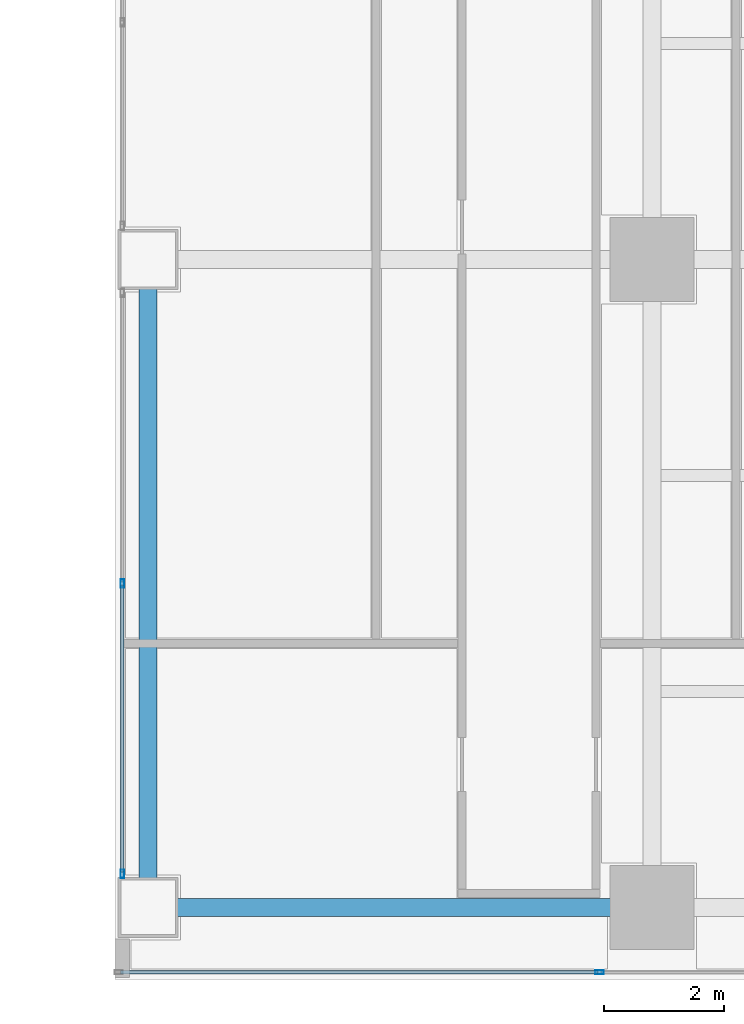
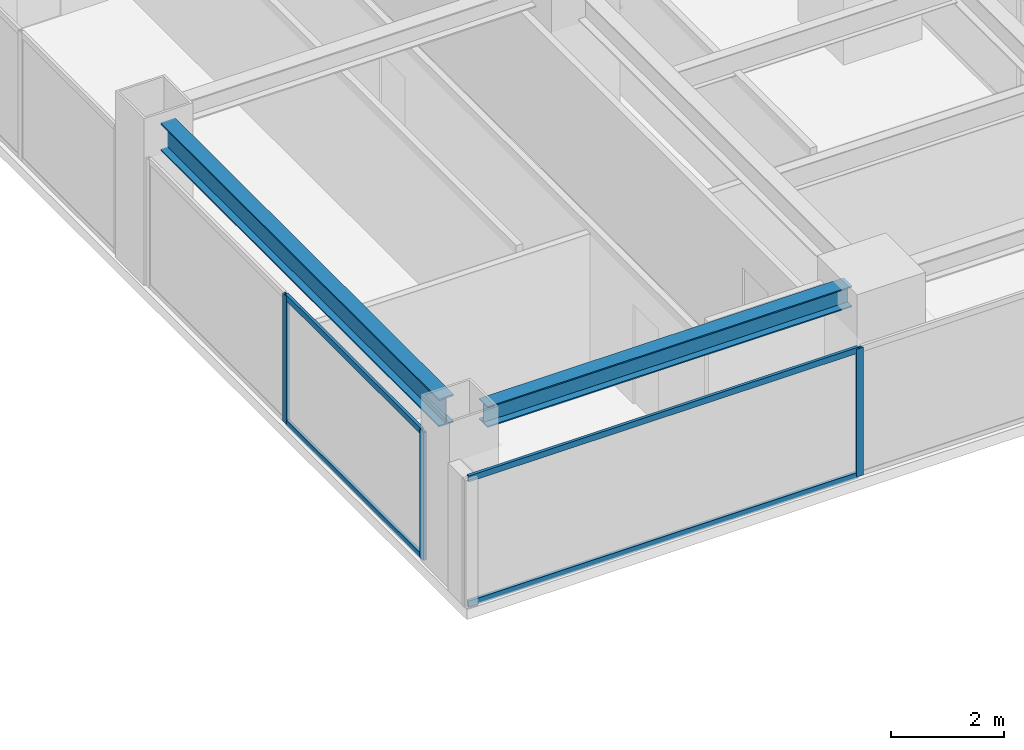
# One storey, part 12 of 29: 7 members, 2 beams, 2 elements without a shape of their own.
"""IFC4 building model written with IfcOpenShell, lengths in metres."""

from ifc_helpers import new_model, si_unit, direction, frame, origin, origin_2d, place, context, subcontext, project, spatial, hollow_rectangle, i_section, extrude, source, transform, mapped, material, layer, layer_set, material_profile, profile_set, type_object, element, aggregate, save


model = new_model("IFC4")

# Units and contexts
model_context = context("Model", 3, precision=1e-05, world=origin(), true_north=direction((0.0, 1.0)))
body_context = subcontext(model_context, "Body", "Model", "MODEL_VIEW")
ifc_project = project(units=[si_unit("LENGTHUNIT", "METRE"), si_unit("AREAUNIT", "SQUARE_METRE"), si_unit("VOLUMEUNIT", "CUBIC_METRE"), si_unit("PLANEANGLEUNIT", "RADIAN"), si_unit("MASSUNIT", "GRAM", prefix="KILO")], contexts=[model_context])

# Site, building, storey
site_placement = place(None, origin())
site = spatial("IfcSite", under=ifc_project, at=site_placement, CompositionType="ELEMENT")
building_placement = place(site_placement, origin())
building = spatial("IfcBuilding", under=site, at=building_placement, Name="Sumidabori Civic Tower", CompositionType="ELEMENT")
storey_placement = place(building_placement, frame((0.0, 0.0, 203.60009765625)))
storey = spatial("IfcBuildingStorey", under=building, at=storey_placement, Name="L52", CompositionType="ELEMENT", Elevation=203.60009765625)

# Beams
ifc_material_1 = material(Name="Steel SN490", Category="steel")
ifc_material_profile_1 = material_profile(ifc_material_1, i_section(OverallWidth=0.300048828125, OverallDepth=0.60009765625, WebThickness=0.015380859375, FlangeThickness=0.030029296875, at=origin_2d()), Name="HE 600 B")
ifc_profile_set_1 = profile_set([ifc_material_profile_1], Name="Steel SN490")
beam_type_1 = type_object("IfcBeamType", Name="BM-GIRD-600", PredefinedType="BEAM", material=ifc_profile_set_1)
shared_shape_1 = source(origin(), body_context, "Body", "SweptSolid", [
    extrude(i_section(OverallWidth=0.300048828125, OverallDepth=0.60009765625, WebThickness=0.015380859375, FlangeThickness=0.030029296875, at=origin_2d()), origin(), (0.0, 0.0, 1.0), 9.840087890625),
])
beam_1_placement = place(storey_placement, frame((8.39990234375, -10.320068359375, 3.079833984375), z_axis=(0.0, 1.0, 0.0), x_axis=(-1.0, 0.0, 0.0)))
element("IfcBeam", 1, at=beam_1_placement, inside=storey, type_object=beam_type_1, Name="Primary Girder L52 GY-18", PredefinedType="BEAM", context=body_context, shape_type="MappedRepresentation", body=[
    mapped(shared_shape_1, transform((0.0, 0.0, 0.0), x_axis=(1.0, 0.0, 0.0), y_axis=(0.0, 1.0, 0.0), z_axis=(0.0, 0.0, 1.0), scale=1.0)),
])
ifc_material_profile_2 = material_profile(ifc_material_1, i_section(OverallWidth=0.300048828125, OverallDepth=0.449951171875, WebThickness=0.013916015625, FlangeThickness=0.02587890625, at=origin_2d()), Name="HE 450 B")
ifc_profile_set_2 = profile_set([ifc_material_profile_2], Name="Steel SN490")
beam_type_2 = type_object("IfcBeamType", Name="BM-GIRD-450", PredefinedType="BEAM", material=ifc_profile_set_2)
shared_shape_2 = source(origin(), body_context, "Body", "SweptSolid", [
    extrude(i_section(OverallWidth=0.300048828125, OverallDepth=0.449951171875, WebThickness=0.013916015625, FlangeThickness=0.02587890625, at=origin_2d()), origin(), (0.0, 0.0, 1.0), 7.440185546875),
])
beam_2_placement = place(storey_placement, frame((8.8798828125, -10.800048828125, 3.15478515625), z_axis=(1.0, 0.0, 0.0), x_axis=(0.0, 1.0, 0.0)))
element("IfcBeam", 2, at=beam_2_placement, inside=storey, type_object=beam_type_2, Name="Primary Girder L52 GX-03", PredefinedType="BEAM", context=body_context, shape_type="MappedRepresentation", body=[
    mapped(shared_shape_2, transform((0.0, 0.0, 0.0), x_axis=(1.0, 0.0, 0.0), y_axis=(0.0, 1.0, 0.0), z_axis=(0.0, 0.0, 1.0), scale=1.0)),
])

# Curtain wall, members
ifc_material_2 = material(Name="Anodised Bronze Aluminium AW-6063-T6", Category="aluminium")
ifc_layer_1 = layer(ifc_material_2, 0.179931640625, Name="Anodised Bronze Aluminium AW-6063-T6")
ifc_layer_set_1 = layer_set([ifc_layer_1], Name="Anodised Bronze Aluminium AW-6063-T6")
curtain_wall_type_1 = type_object("IfcCurtainWallType", Name="CW-SYS-4", PredefinedType="NOTDEFINED", material=ifc_layer_set_1)
curtain_wall_1_placement = place(storey_placement, origin())
curtain_wall_1 = element("IfcCurtainWall", 3, at=curtain_wall_1_placement, inside=storey, type_object=curtain_wall_type_1, Name="Curtain Wall CW:L52:R07", PredefinedType="NOTDEFINED")
ifc_material_profile_3 = material_profile(ifc_material_2, hollow_rectangle(XDim=0.06005859375, YDim=0.139892578125, WallThickness=0.0048828125, at=origin_2d()), Name="ALU MULLION 140x60")
ifc_profile_set_3 = profile_set([ifc_material_profile_3], Name="Anodised Bronze Aluminium AW-6063-T6")
member_type_1 = type_object("IfcMemberType", Name="CW-MUL-140", PredefinedType="MULLION", material=ifc_profile_set_3)
shared_shape_3 = source(origin(), body_context, "Body", "SweptSolid", [
    extrude(hollow_rectangle(XDim=0.06005859375, YDim=0.139892578125, WallThickness=0.0048828125, at=origin_2d()), origin(), (0.0, 0.0, 1.0), 2.760009765625),
])
member_1_placement = place(storey_placement, frame((7.969970703125, -5.39990234375, 0.0), z_axis=(0.0, 0.0, 1.0), x_axis=(1.0, 0.0, 0.0)))
member_1 = element("IfcMember", 4, at=member_1_placement, type_object=member_type_1, Name="CW-4 mullion 2", PredefinedType="MULLION", context=body_context, shape_type="MappedRepresentation", body=[
    mapped(shared_shape_3, transform((0.0, 0.0, 0.0), x_axis=(1.0, 0.0, 0.0), y_axis=(0.0, 1.0, 0.0), z_axis=(0.0, 0.0, 1.0), scale=1.0)),
])
member_2_placement = place(storey_placement, frame((7.969970703125, -10.239990234375, 0.0), z_axis=(0.0, 0.0, 1.0), x_axis=(1.0, 0.0, 0.0)))
member_2 = element("IfcMember", 5, at=member_2_placement, type_object=member_type_1, Name="CW-4 mullion 3", PredefinedType="MULLION", context=body_context, shape_type="MappedRepresentation", body=[
    mapped(shared_shape_3, transform((0.0, 0.0, 0.0), x_axis=(1.0, 0.0, 0.0), y_axis=(0.0, 1.0, 0.0), z_axis=(0.0, 0.0, 1.0), scale=1.0)),
])

ifc_layer_2 = layer(ifc_material_2, 0.179931640625, Name="Anodised Bronze Aluminium AW-6063-T6")
ifc_layer_set_2 = layer_set([ifc_layer_2], Name="Anodised Bronze Aluminium AW-6063-T6")
curtain_wall_type_2 = type_object("IfcCurtainWallType", Name="CW-SYS-5", PredefinedType="NOTDEFINED", material=ifc_layer_set_2)
curtain_wall_2_placement = place(storey_placement, origin())
curtain_wall_2 = element("IfcCurtainWall", 6, at=curtain_wall_2_placement, inside=storey, type_object=curtain_wall_type_2, Name="Curtain Wall CW:L52:R09", PredefinedType="NOTDEFINED")
member_3_placement = place(storey_placement, frame((15.925048828125, -11.8798828125, 0.0), z_axis=(0.0, 0.0, 1.0), x_axis=(0.0, 1.0, 0.0)))
member_3 = element("IfcMember", 7, at=member_3_placement, type_object=member_type_1, Name="CW-5 mullion 2", PredefinedType="MULLION", context=body_context, shape_type="MappedRepresentation", body=[
    mapped(shared_shape_3, transform((0.0, 0.0, 0.0), x_axis=(1.0, 0.0, 0.0), y_axis=(0.0, 1.0, 0.0), z_axis=(0.0, 0.0, 1.0), scale=1.0)),
])
ifc_material_profile_4 = material_profile(ifc_material_2, hollow_rectangle(XDim=0.06005859375, YDim=0.1298828125, WallThickness=0.0048828125, at=origin_2d()), Name="ALU TRANSOM 130x60")
ifc_profile_set_4 = profile_set([ifc_material_profile_4], Name="Anodised Bronze Aluminium AW-6063-T6")
member_type_2 = type_object("IfcMemberType", Name="CW-TRN-130", PredefinedType="USERDEFINED", material=ifc_profile_set_4)
shared_shape_4 = source(origin(), body_context, "Body", "SweptSolid", [
    extrude(hollow_rectangle(XDim=0.06005859375, YDim=0.1298828125, WallThickness=0.0048828125, at=origin_2d()), origin(), (0.0, 0.0, 1.0), 7.955078125),
])
member_4_placement = place(storey_placement, frame((7.93994140625, -11.8798828125, 0.02978515625), z_axis=(1.0, 0.0, 0.0), x_axis=(0.0, 1.0, 0.0)))
member_4 = element("IfcMember", 8, at=member_4_placement, type_object=member_type_2, Name="CW-5 transom 1.1", ObjectType="TRANSOM", PredefinedType="USERDEFINED", context=body_context, shape_type="MappedRepresentation", body=[
    mapped(shared_shape_4, transform((0.0, 0.0, 0.0), x_axis=(1.0, 0.0, 0.0), y_axis=(0.0, 1.0, 0.0), z_axis=(0.0, 0.0, 1.0), scale=1.0)),
])
member_5_placement = place(storey_placement, frame((7.93994140625, -11.8798828125, 2.72998046875), z_axis=(1.0, 0.0, 0.0), x_axis=(0.0, 1.0, 0.0)))
member_5 = element("IfcMember", 9, at=member_5_placement, type_object=member_type_2, Name="CW-5 transom 1.2", ObjectType="TRANSOM", PredefinedType="USERDEFINED", context=body_context, shape_type="MappedRepresentation", body=[
    mapped(shared_shape_4, transform((0.0, 0.0, 0.0), x_axis=(1.0, 0.0, 0.0), y_axis=(0.0, 1.0, 0.0), z_axis=(0.0, 0.0, 1.0), scale=1.0)),
])
aggregate(curtain_wall_2, [member_3, member_4, member_5])

# Member
shared_shape_5 = source(origin(), body_context, "Body", "SweptSolid", [
    extrude(hollow_rectangle(XDim=0.06005859375, YDim=0.1298828125, WallThickness=0.0048828125, at=origin_2d()), origin(), (0.0, 0.0, 1.0), 4.780029296875),
])
member_6_placement = place(storey_placement, frame((7.969970703125, -5.429931640625, 0.02978515625), z_axis=(0.0, -1.0, 0.0), x_axis=(1.0, 0.0, 0.0)))
member_6 = element("IfcMember", 10, at=member_6_placement, type_object=member_type_2, Name="CW-4 transom 2.1", ObjectType="TRANSOM", PredefinedType="USERDEFINED", context=body_context, shape_type="MappedRepresentation", body=[
    mapped(shared_shape_5, transform((0.0, 0.0, 0.0), x_axis=(1.0, 0.0, 0.0), y_axis=(0.0, 1.0, 0.0), z_axis=(0.0, 0.0, 1.0), scale=1.0)),
])

member_7_placement = place(storey_placement, frame((7.969970703125, -5.429931640625, 2.72998046875), z_axis=(0.0, -1.0, 0.0), x_axis=(1.0, 0.0, 0.0)))
member_7 = element("IfcMember", 11, at=member_7_placement, type_object=member_type_2, Name="CW-4 transom 2.2", ObjectType="TRANSOM", PredefinedType="USERDEFINED", context=body_context, shape_type="MappedRepresentation", body=[
    mapped(shared_shape_5, transform((0.0, 0.0, 0.0), x_axis=(1.0, 0.0, 0.0), y_axis=(0.0, 1.0, 0.0), z_axis=(0.0, 0.0, 1.0), scale=1.0)),
])

aggregate(curtain_wall_1, [member_1, member_2, member_6, member_7])

save(model, "model.ifc")
